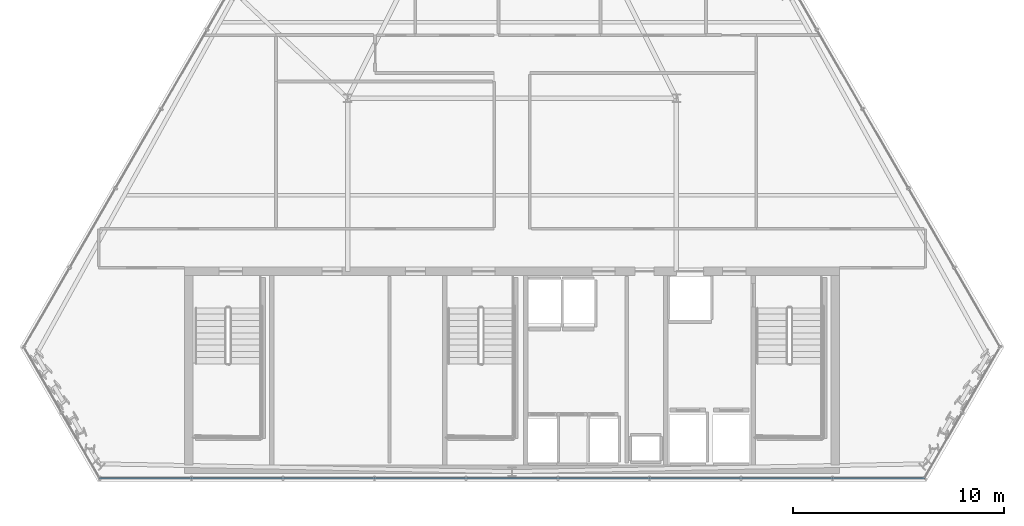
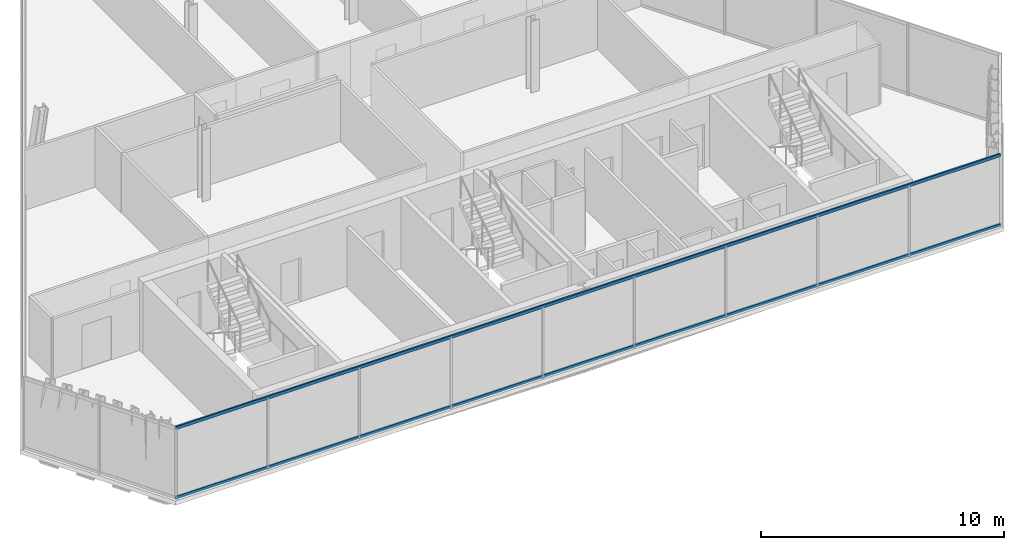
# One storey, part 7 of 29: 2 members, 1 element without a shape of its own.
"""IFC4 building model written with IfcOpenShell, lengths in metres."""

import ifcopenshell
import ifcopenshell.guid

model = None  # the IFC model being written
_history = None  # IfcOwnerHistory: only IFC2X3 demands one
_inside = {}  # id of a spatial element -> (the spatial element, [elements in it])
_under = {}  # id of a project, library or spatial element -> (it, [spatial elements below it])
_declared = {}  # id of a project -> (the project, [libraries it declares])
_typed = {}  # id of a type object -> (the type object, [elements of that type])
_made_of = {}  # id of a material, layer set ... -> (it, [elements and type objects made of it])


def new_model(schema):
    """Start an empty IFC model of exactly this schema.

    Asked for "IFC4X3", IfcOpenShell would pick the latest addendum, in which some entities
    have other attributes; the version numbers below select the first issue.
    IFC2X3 requires an IfcOwnerHistory on every rooted entity: one is made here for all.
    """
    global model, _history
    if schema == "IFC4X3":
        model = ifcopenshell.file(schema_version=(4, 3, 0, 0))
    else:
        model = ifcopenshell.file(schema=schema)
    _inside.clear()
    _under.clear()
    _declared.clear()
    _typed.clear()
    _made_of.clear()
    _history = None
    if model.schema == "IFC2X3":
        org = make("IfcOrganization", Name="unknown")
        user = make(
            "IfcPersonAndOrganization",
            ThePerson=make("IfcPerson", FamilyName="unknown"),
            TheOrganization=org,
        )
        app = make(
            "IfcApplication",
            ApplicationDeveloper=org,
            Version="unknown",
            ApplicationFullName="unknown",
            ApplicationIdentifier="unknown",
        )
        _history = make(
            "IfcOwnerHistory",
            OwningUser=user,
            OwningApplication=app,
            ChangeAction="ADDED",
            CreationDate=0,
        )
    return model


def make(cls, **values):
    """One entity of the class cls with the attributes given. An attribute that is None is left unset."""
    return model.create_entity(
        cls, **{name: value for name, value in values.items() if value is not None}
    )


def rooted(cls, **values):
    """An entity with a GlobalId (a new one), such as an element, a storey or a relation."""
    return make(cls, GlobalId=ifcopenshell.guid.new(), OwnerHistory=_history, **values)


def si_unit(unit_type, name, prefix=None):
    """IfcSIUnit, for example si_unit("LENGTHUNIT", "METRE", prefix="MILLI")."""
    return make("IfcSIUnit", UnitType=unit_type, Prefix=prefix, Name=name)


def assignment(units):
    """IfcUnitAssignment: the units of a project."""
    return None if units is None else make("IfcUnitAssignment", Units=units)


def point(xyz):
    """IfcCartesianPoint."""
    return None if xyz is None else make("IfcCartesianPoint", Coordinates=xyz)


def direction(xyz):
    """IfcDirection."""
    return None if xyz is None else make("IfcDirection", DirectionRatios=xyz)


def frame(location, z_axis=None, x_axis=None):
    """IfcAxis2Placement3D, a coordinate frame: its origin and axes. An axis left out is left unset."""
    return make(
        "IfcAxis2Placement3D",
        Location=point(location),
        Axis=direction(z_axis),
        RefDirection=direction(x_axis),
    )


def frame_2d(location, x_axis=None):
    """IfcAxis2Placement2D, a coordinate frame in the plane: its origin and x axis."""
    return make(
        "IfcAxis2Placement2D", Location=point(location), RefDirection=direction(x_axis)
    )


def origin():
    """The frame at (0, 0, 0) with its axes left unset."""
    return frame((0.0, 0.0, 0.0))


def origin_2d():
    """The frame at (0, 0) in the plane with its x axis left unset."""
    return frame_2d((0.0, 0.0))


def place(relative_to, where):
    """IfcLocalPlacement: puts the frame where relative to a parent placement (None: the world)."""
    return make(
        "IfcLocalPlacement", PlacementRelTo=relative_to, RelativePlacement=where
    )


def context(
    kind, dimensions, precision=None, world=None, true_north=None, identifier=None
):
    """IfcGeometricRepresentationContext, for example the 3D "Model" context."""
    return make(
        "IfcGeometricRepresentationContext",
        ContextIdentifier=identifier,
        ContextType=kind,
        CoordinateSpaceDimension=dimensions,
        Precision=precision,
        WorldCoordinateSystem=world,
        TrueNorth=true_north,
    )


def subcontext(parent, identifier, kind, view, scale=None):
    """IfcGeometricRepresentationSubContext, for example "Body" below "Model"."""
    return make(
        "IfcGeometricRepresentationSubContext",
        ContextIdentifier=identifier,
        ContextType=kind,
        ParentContext=parent,
        TargetScale=scale,
        TargetView=view,
    )


def project(units=None, contexts=None):
    """IfcProject with its units and contexts."""
    return rooted(
        "IfcProject",
        Name="project",
        RepresentationContexts=contexts,
        UnitsInContext=assignment(units),
    )


def spatial(cls, under=None, at=None, **own):
    """A site, building, storey or space (cls), placed at a placement, below another one or the project."""
    s = rooted(cls, ObjectPlacement=at, **own)
    if under is not None:
        _under.setdefault(under.id(), (under, []))[1].append(s)
    return s


def profile(cls, at=None, kind="AREA", **sizes):
    """A parametric profile (cls). Its sizes go by their IFC names, for example OverallWidth=200.0."""
    return make(cls, ProfileType=kind, Position=at, **sizes)


def hollow_rectangle(**sizes):
    """IfcRectangleHollowProfileDef."""
    return profile("IfcRectangleHollowProfileDef", **sizes)


def extrude(swept, where, along, depth):
    """IfcExtrudedAreaSolid: the profile swept, set in the frame where, extruded along a direction by depth."""
    return make(
        "IfcExtrudedAreaSolid",
        SweptArea=swept,
        Position=where,
        ExtrudedDirection=direction(along),
        Depth=depth,
    )


def shape(context_of_items, identifier, shape_type, items):
    """IfcShapeRepresentation: the items that make up one representation, for example the "Body"."""
    return make(
        "IfcShapeRepresentation",
        ContextOfItems=context_of_items,
        RepresentationIdentifier=identifier,
        RepresentationType=shape_type,
        Items=items,
    )


def material(Name=None, Category=None):
    """IfcMaterial."""
    return make("IfcMaterial", Name=Name, Category=Category)


def layer(
    of_material, thickness, ventilated=None, Name=None, Category=None, Priority=None
):
    """IfcMaterialLayer: one layer of a wall or slab, of a material (None: an air gap)."""
    return make(
        "IfcMaterialLayer",
        Material=of_material,
        LayerThickness=thickness,
        IsVentilated=ventilated,
        Name=Name,
        Category=Category,
        Priority=Priority,
    )


def layer_set(layers, Name=None):
    """IfcMaterialLayerSet."""
    return make("IfcMaterialLayerSet", MaterialLayers=layers, LayerSetName=Name)


def material_profile(
    of_material, cross_section, Name=None, Category=None, Priority=None
):
    """IfcMaterialProfile: a cross section and its material."""
    return make(
        "IfcMaterialProfile",
        Name=Name,
        Material=of_material,
        Profile=cross_section,
        Priority=Priority,
        Category=Category,
    )


def profile_set(profiles, Name=None, composite=None):
    """IfcMaterialProfileSet."""
    return make(
        "IfcMaterialProfileSet",
        Name=Name,
        MaterialProfiles=profiles,
        CompositeProfile=composite,
    )


def made_of(thing, what):
    """Note that an element or type object is made of a material, layer set ...; save() writes the relation."""
    if what is not None:
        _made_of.setdefault(what.id(), (what, []))[1].append(thing)
    return thing


def type_object(cls, material=None, **own):
    """A type object (cls), such as IfcWallType, which elements share."""
    return made_of(rooted(cls, **own), material)


def element(
    cls,
    number,
    at=None,
    inside=None,
    cuts=None,
    type_object=None,
    material=None,
    context=None,
    identifier="Body",
    shape_type=None,
    held_by="IfcProductDefinitionShape",
    body=None,
    shapes=None,
    **own,
):
    """One element of the class cls, such as IfcWall. Its Tag is "e" and its number.

    at: its placement. inside: the storey or other place that contains it. cuts: it is an
    opening in that element (IfcRelVoidsElement). A single representation is given by context,
    identifier, shape_type and body (its items); several are given by shapes. held_by: the class
    of the entity that holds the representations. save() writes the other relations.
    """
    e = rooted(cls, Tag="e%d" % number, ObjectPlacement=at, **own)
    if body is not None:
        shapes = [shape(context, identifier, shape_type, body)]
    if shapes is not None:
        e.Representation = make(held_by, Representations=shapes)
    if inside is not None:
        _inside.setdefault(inside.id(), (inside, []))[1].append(e)
    if cuts is not None:
        rooted(
            "IfcRelVoidsElement", RelatingBuildingElement=cuts, RelatedOpeningElement=e
        )
    if type_object is not None:
        _typed.setdefault(type_object.id(), (type_object, []))[1].append(e)
    return made_of(e, material)


def aggregate(whole, parts):
    """IfcRelAggregates: a whole, such as a stair, and the parts it consists of."""
    return rooted("IfcRelAggregates", RelatingObject=whole, RelatedObjects=parts)


def save(model, path):
    """Write the relations noted so far, then the file.

    IfcRelAggregates (storeys below a building ...), IfcRelContainedInSpatialStructure (elements
    in a storey), IfcRelDefinesByType, IfcRelAssociatesMaterial and IfcRelDeclares: one each for
    every whole, place, type object, material and project.
    """
    for whole, parts in _under.values():
        aggregate(whole, parts)
    for where, things in _inside.values():
        rooted(
            "IfcRelContainedInSpatialStructure",
            RelatedElements=things,
            RelatingStructure=where,
        )
    for kind, things in _typed.values():
        rooted("IfcRelDefinesByType", RelatedObjects=things, RelatingType=kind)
    for what, things in _made_of.values():
        rooted("IfcRelAssociatesMaterial", RelatedObjects=things, RelatingMaterial=what)
    for by, libraries in _declared.values():
        rooted("IfcRelDeclares", RelatingContext=by, RelatedDefinitions=libraries)
    model.write(path)


model = new_model("IFC4")

# Units and contexts
model_context = context("Model", 3, precision=1e-05, world=origin(), true_north=direction((0.0, 1.0)))
body_context = subcontext(model_context, "Body", "Model", "MODEL_VIEW")
ifc_project = project(units=[si_unit("LENGTHUNIT", "METRE"), si_unit("AREAUNIT", "SQUARE_METRE"), si_unit("VOLUMEUNIT", "CUBIC_METRE"), si_unit("PLANEANGLEUNIT", "RADIAN"), si_unit("MASSUNIT", "GRAM", prefix="KILO")], contexts=[model_context])

# Site, building, storey
site_placement = place(None, origin())
site = spatial("IfcSite", under=ifc_project, at=site_placement, CompositionType="ELEMENT")
building_placement = place(site_placement, origin())
building = spatial("IfcBuilding", under=site, at=building_placement, Name="Ndaravel Arena Tower", CompositionType="ELEMENT")
storey_placement = place(building_placement, frame((0.0, 0.0, 237.0)))
storey = spatial("IfcBuildingStorey", under=building, at=storey_placement, Name="L57", CompositionType="ELEMENT", Elevation=237.0)

# Curtain wall, members
ifc_material_1 = material(Name="Aluminium", Category="aluminium")
ifc_layer = layer(ifc_material_1, 0.179931640625)
ifc_layer_set = layer_set([ifc_layer], Name="Aluminium")
curtain_wall_type = type_object("IfcCurtainWallType", Name="CW-SYS-03", PredefinedType="NOTDEFINED", material=ifc_layer_set)
curtain_wall_placement = place(storey_placement, origin())
curtain_wall = element("IfcCurtainWall", 1, at=curtain_wall_placement, inside=storey, type_object=curtain_wall_type, Name="L57 Faceted Crystal Curtain Wall CW-L57-E01", PredefinedType="NOTDEFINED")
ifc_material_2 = material(Name="Aluminium", Category="aluminium")
ifc_material_profile = material_profile(ifc_material_2, hollow_rectangle(XDim=0.074951171875, YDim=0.14990234375, WallThickness=0.00390625, at=origin_2d()), Name="CW TRANSOM 75x150x4")
ifc_profile_set = profile_set([ifc_material_profile], Name="Aluminium")
member_type = type_object("IfcMemberType", Name="MEM-CW-TRN150", PredefinedType="USERDEFINED", material=ifc_profile_set)
member_1_placement = place(storey_placement, frame((22.431396484375, 5.159912109375, 0.0400390625), z_axis=(1.0, 0.0, 0.0), x_axis=(0.0, 1.0, 0.0)))
member_1 = element("IfcMember", 2, at=member_1_placement, type_object=member_type, Name="CW-L57-E01 Transom 01", ObjectType="TRANSOM", PredefinedType="USERDEFINED", context=body_context, shape_type="SweptSolid", body=[
    extrude(hollow_rectangle(XDim=0.074951171875, YDim=0.14990234375, WallThickness=0.00390625, at=origin_2d()), origin(), (0.0, 0.0, 1.0), 39.13720703125),
])
member_2_placement = place(storey_placement, frame((22.431396484375, 5.159912109375, 3.5400390625), z_axis=(1.0, 0.0, 0.0), x_axis=(0.0, 1.0, 0.0)))
member_2 = element("IfcMember", 3, at=member_2_placement, type_object=member_type, Name="CW-L57-E01 Transom 02", ObjectType="TRANSOM", PredefinedType="USERDEFINED", context=body_context, shape_type="SweptSolid", body=[
    extrude(hollow_rectangle(XDim=0.074951171875, YDim=0.14990234375, WallThickness=0.00390625, at=origin_2d()), origin(), (0.0, 0.0, 1.0), 39.13720703125),
])
aggregate(curtain_wall, [member_1, member_2])

save(model, "model.ifc")
